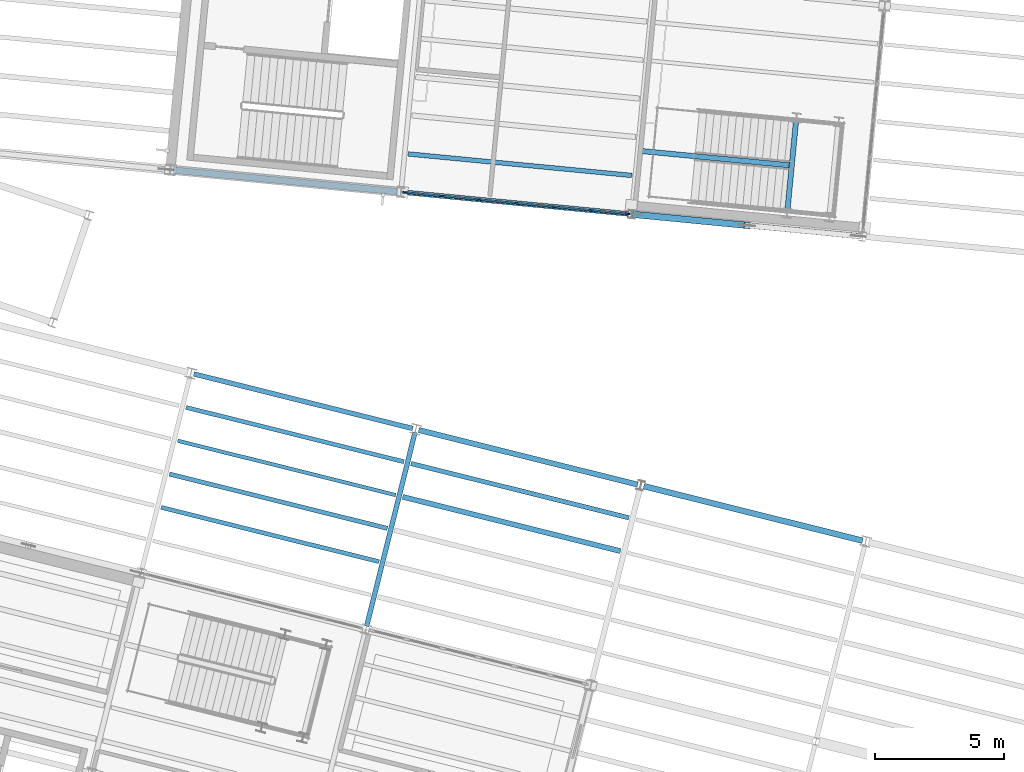
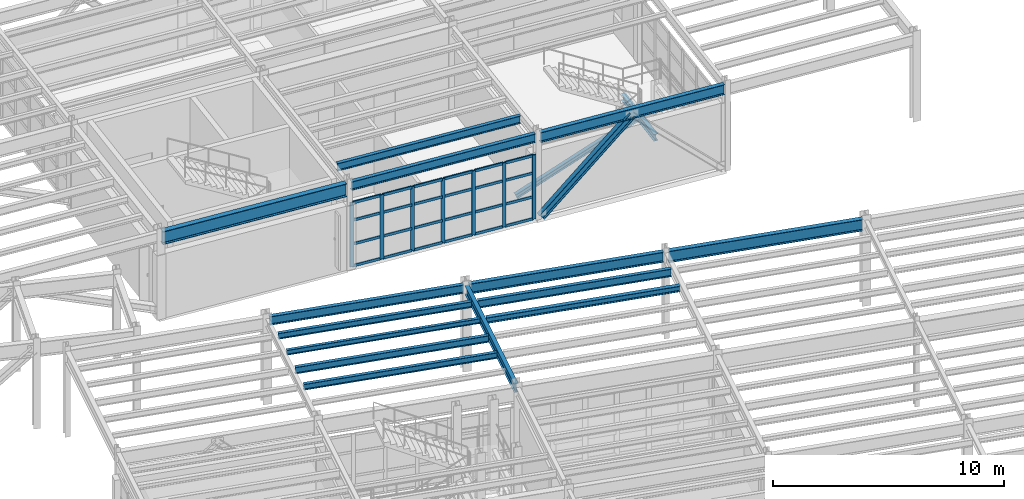
# One storey, part 36 of 109: 33 members, 15 beams, 1 element without a shape of its own.
"""IFC4 building model written with IfcOpenShell, lengths in metres."""

from ifc_helpers import new_model, si_unit, direction, frame, origin, origin_2d, place, context, subcontext, project, spatial, rectangle, i_section, extrude, material, layer, layer_set, material_profile, profile_set, type_object, element, aggregate, save


model = new_model("IFC4")

# Units and contexts
model_context = context("Model", 3, precision=1e-05, world=origin(), true_north=direction((0.0, 1.0)))
body_context = subcontext(model_context, "Body", "Model", "MODEL_VIEW")
ifc_project = project(units=[si_unit("LENGTHUNIT", "METRE"), si_unit("AREAUNIT", "SQUARE_METRE"), si_unit("VOLUMEUNIT", "CUBIC_METRE"), si_unit("PLANEANGLEUNIT", "RADIAN"), si_unit("MASSUNIT", "GRAM", prefix="KILO")], contexts=[model_context])

# Site, building, storey
site_placement = place(None, origin())
site = spatial("IfcSite", under=ifc_project, at=site_placement, CompositionType="ELEMENT")
building_placement = place(site_placement, origin())
building = spatial("IfcBuilding", under=site, at=building_placement, Name="Vireo Bluff Cable Station", CompositionType="ELEMENT")
storey_placement = place(building_placement, frame((0.0, 0.0, 4.800048828125)))
storey = spatial("IfcBuildingStorey", under=building, at=storey_placement, Name="L01", CompositionType="ELEMENT", Elevation=4.800048828125)

# Beams
ifc_material_1 = material(Name="Steel ASTM A992 Gr. 50", Category="steel")
ifc_material_profile_1 = material_profile(ifc_material_1, i_section(OverallWidth=0.2041015625, OverallDepth=0.35009765625, WebThickness=0.008544921875, FlangeThickness=0.01513671875, FilletRadius=0.010009765625, at=origin_2d()), Name="W14X48")
ifc_profile_set_1 = profile_set([ifc_material_profile_1], Name="Steel ASTM A992 Gr. 50")
beam_type_1 = type_object("IfcBeamType", Name="BM-W14X48", PredefinedType="BEAM", material=ifc_profile_set_1)
beam_1_placement = place(storey_placement, frame((91.700439453125, 65.4599609375, 2.02490234375), z_axis=(0.095877381209, 0.995393152364, 0.0), x_axis=(-0.995393152364, 0.095877381209, 0.0)))
element("IfcBeam", 1, at=beam_1_placement, inside=storey, type_object=beam_type_1, Name="ST-11 L01 landing header beam N", PredefinedType="BEAM", context=body_context, shape_type="SweptSolid", body=[
    extrude(i_section(OverallWidth=0.2041015625, OverallDepth=0.35009765625, WebThickness=0.008544921875, FlangeThickness=0.01513671875, FilletRadius=0.010009765625, at=origin_2d()), origin(), (0.0, 0.0, 1.0), 3.440185546875),
])
ifc_material_profile_2 = material_profile(ifc_material_1, i_section(OverallWidth=0.193115234375, OverallDepth=0.467041015625, WebThickness=0.011474609375, FlangeThickness=0.01904296875, FilletRadius=0.011962890625, at=origin_2d()), Name="W18X65")
ifc_profile_set_2 = profile_set([ifc_material_profile_2], Name="Steel ASTM A992 Gr. 50")
beam_type_2 = type_object("IfcBeamType", Name="BM-W18X65", PredefinedType="BEAM", material=ifc_profile_set_2)
beam_2_placement = place(storey_placement, frame((75.364990234375, 49.28662109375, 4.306396484375), z_axis=(0.241935966891, 0.970292217801, 0.0), x_axis=(-0.970292217801, 0.241935966891, 0.0)))
element("IfcBeam", 2, at=beam_2_placement, inside=storey, type_object=beam_type_2, Name="V1 L01 beam 68", PredefinedType="BEAM", context=body_context, shape_type="SweptSolid", body=[
    extrude(i_section(OverallWidth=0.193115234375, OverallDepth=0.467041015625, WebThickness=0.011474609375, FlangeThickness=0.01904296875, FilletRadius=0.011962890625, at=origin_2d()), origin(), (0.0, 0.0, 1.0), 7.760009765625),
])

# Member
ifc_material_profile_3 = material_profile(ifc_material_1, i_section(OverallWidth=0.25390625, OverallDepth=0.35302734375, WebThickness=0.009521484375, FlangeThickness=0.016357421875, FilletRadius=0.011962890625, at=origin_2d()), Name="W14X61")
ifc_profile_set_3 = profile_set([ifc_material_profile_3], Name="Steel ASTM A992 Gr. 50")
member_type_1 = type_object("IfcMemberType", Name="BRC-06", PredefinedType="BRACE", material=ifc_profile_set_3)
member_1_placement = place(storey_placement, frame((85.814453125, 65.263427734375, 0.0400390625), z_axis=(0.720263828031, -0.069360246565, 0.690224002934), x_axis=(0.095854965264, 0.995395311238, 0.0)))
element("IfcMember", 3, at=member_1_placement, inside=storey, type_object=member_type_1, Name="V3 L01 concentric brace 53L", PredefinedType="BRACE", context=body_context, shape_type="SweptSolid", body=[
    extrude(i_section(OverallWidth=0.25390625, OverallDepth=0.35302734375, WebThickness=0.009521484375, FlangeThickness=0.016357421875, FilletRadius=0.011962890625, at=origin_2d()), origin(), (0.0, 0.0, 1.0), 5.997802734375),
])

# Curtain wall, members
ifc_material_2 = material(Name="Anodized Aluminium 6063-T6", Category="aluminium")
ifc_layer = layer(ifc_material_2, 0.179931640625, Name="Anodized Aluminium 6063-T6")
ifc_layer_set = layer_set([ifc_layer], Name="Anodized Aluminium 6063-T6")
curtain_wall_type = type_object("IfcCurtainWallType", Name="CW-UNIT-1400", PredefinedType="USERDEFINED", material=ifc_layer_set)
curtain_wall_placement = place(storey_placement, origin())
curtain_wall = element("IfcCurtainWall", 4, at=curtain_wall_placement, inside=storey, type_object=curtain_wall_type, Name="V3 L01 south curtain wall CW-072", ObjectType="UNITISED CURTAIN WALL", PredefinedType="USERDEFINED")
ifc_material_profile_4 = material_profile(ifc_material_2, rectangle(XDim=0.06494140625, YDim=0.179931640625, at=origin_2d()), Name="ALU-M-65X180")
ifc_profile_set_4 = profile_set([ifc_material_profile_4], Name="Anodized Aluminium 6063-T6")
member_type_2 = type_object("IfcMemberType", Name="CWM-01", PredefinedType="MULLION", material=ifc_profile_set_4)
member_2_placement = place(storey_placement, frame((85.494384765625, 65.294189453125, 0.0), z_axis=(0.0, 0.0, 1.0), x_axis=(-0.095845666993, -0.995396206602, 0.0)))
member_2 = element("IfcMember", 5, at=member_2_placement, type_object=member_type_2, Name="CW-072 mullion 1", PredefinedType="MULLION", context=body_context, shape_type="SweptSolid", body=[
    extrude(rectangle(XDim=0.06494140625, YDim=0.179931640625, at=origin_2d()), origin(), (0.0, 0.0, 1.0), 3.39990234375),
])
member_3_placement = place(storey_placement, frame((84.07666015625, 65.4306640625, 0.0), z_axis=(0.0, 0.0, 1.0), x_axis=(-0.095845666993, -0.995396206602, 0.0)))
member_3 = element("IfcMember", 6, at=member_3_placement, type_object=member_type_2, Name="CW-072 mullion 2", PredefinedType="MULLION", context=body_context, shape_type="SweptSolid", body=[
    extrude(rectangle(XDim=0.06494140625, YDim=0.179931640625, at=origin_2d()), origin(), (0.0, 0.0, 1.0), 3.39990234375),
])
member_4_placement = place(storey_placement, frame((82.626708984375, 65.5703125, 0.0), z_axis=(0.0, 0.0, 1.0), x_axis=(-0.095845666993, -0.995396206602, 0.0)))
member_4 = element("IfcMember", 7, at=member_4_placement, type_object=member_type_2, Name="CW-072 mullion 3", PredefinedType="MULLION", context=body_context, shape_type="SweptSolid", body=[
    extrude(rectangle(XDim=0.06494140625, YDim=0.179931640625, at=origin_2d()), origin(), (0.0, 0.0, 1.0), 3.39990234375),
])
member_5_placement = place(storey_placement, frame((81.1767578125, 65.7099609375, 0.0), z_axis=(0.0, 0.0, 1.0), x_axis=(-0.095845666993, -0.995396206602, 0.0)))
member_5 = element("IfcMember", 8, at=member_5_placement, type_object=member_type_2, Name="CW-072 mullion 4", PredefinedType="MULLION", context=body_context, shape_type="SweptSolid", body=[
    extrude(rectangle(XDim=0.06494140625, YDim=0.179931640625, at=origin_2d()), origin(), (0.0, 0.0, 1.0), 3.39990234375),
])
member_6_placement = place(storey_placement, frame((79.7265625, 65.849609375, 0.0), z_axis=(0.0, 0.0, 1.0), x_axis=(-0.095845666993, -0.995396206602, 0.0)))
member_6 = element("IfcMember", 9, at=member_6_placement, type_object=member_type_2, Name="CW-072 mullion 5", PredefinedType="MULLION", context=body_context, shape_type="SweptSolid", body=[
    extrude(rectangle(XDim=0.06494140625, YDim=0.179931640625, at=origin_2d()), origin(), (0.0, 0.0, 1.0), 3.39990234375),
])
member_7_placement = place(storey_placement, frame((78.276611328125, 65.989013671875, 0.0), z_axis=(0.0, 0.0, 1.0), x_axis=(-0.095845666993, -0.995396206602, 0.0)))
member_7 = element("IfcMember", 10, at=member_7_placement, type_object=member_type_2, Name="CW-072 mullion 6", PredefinedType="MULLION", context=body_context, shape_type="SweptSolid", body=[
    extrude(rectangle(XDim=0.06494140625, YDim=0.179931640625, at=origin_2d()), origin(), (0.0, 0.0, 1.0), 3.39990234375),
])
member_8_placement = place(storey_placement, frame((76.85888671875, 66.125732421875, 0.0), z_axis=(0.0, 0.0, 1.0), x_axis=(-0.095845666993, -0.995396206602, 0.0)))
member_8 = element("IfcMember", 11, at=member_8_placement, type_object=member_type_2, Name="CW-072 mullion 7", PredefinedType="MULLION", context=body_context, shape_type="SweptSolid", body=[
    extrude(rectangle(XDim=0.06494140625, YDim=0.179931640625, at=origin_2d()), origin(), (0.0, 0.0, 1.0), 3.39990234375),
])
ifc_material_profile_5 = material_profile(ifc_material_2, rectangle(XDim=0.06494140625, YDim=0.139892578125, at=origin_2d()), Name="ALU-T-65X140")
ifc_profile_set_5 = profile_set([ifc_material_profile_5], Name="Anodized Aluminium 6063-T6")
member_type_3 = type_object("IfcMemberType", Name="CWT-01", PredefinedType="USERDEFINED", material=ifc_profile_set_5)
member_9_placement = place(storey_placement, frame((85.462158203125, 65.29736328125, 0.032470703125), z_axis=(-0.995407054412, 0.095732941177, 0.0), x_axis=(-0.095732941177, -0.995407054412, 0.0)))
member_9 = element("IfcMember", 12, at=member_9_placement, type_object=member_type_3, Name="CW-072 transom 1.1", ObjectType="TRANSOM", PredefinedType="USERDEFINED", context=body_context, shape_type="SweptSolid", body=[
    extrude(rectangle(XDim=0.06494140625, YDim=0.139892578125, at=origin_2d()), origin(), (0.0, 0.0, 1.0), 1.359375),
])
member_10_placement = place(storey_placement, frame((85.462158203125, 65.29736328125, 1.18994140625), z_axis=(-0.995407054412, 0.095732941177, 0.0), x_axis=(-0.095732941177, -0.995407054412, 0.0)))
member_10 = element("IfcMember", 13, at=member_10_placement, type_object=member_type_3, Name="CW-072 transom 1.2", ObjectType="TRANSOM", PredefinedType="USERDEFINED", context=body_context, shape_type="SweptSolid", body=[
    extrude(rectangle(XDim=0.06494140625, YDim=0.139892578125, at=origin_2d()), origin(), (0.0, 0.0, 1.0), 1.359375),
])
member_11_placement = place(storey_placement, frame((85.462158203125, 65.29736328125, 2.447998046875), z_axis=(-0.995407054412, 0.095732941177, 0.0), x_axis=(-0.095732941177, -0.995407054412, 0.0)))
member_11 = element("IfcMember", 14, at=member_11_placement, type_object=member_type_3, Name="CW-072 transom 1.3", ObjectType="TRANSOM", PredefinedType="USERDEFINED", context=body_context, shape_type="SweptSolid", body=[
    extrude(rectangle(XDim=0.06494140625, YDim=0.139892578125, at=origin_2d()), origin(), (0.0, 0.0, 1.0), 1.359375),
])
member_12_placement = place(storey_placement, frame((85.462158203125, 65.29736328125, 3.367431640625), z_axis=(-0.995407054412, 0.095732941177, 0.0), x_axis=(-0.095732941177, -0.995407054412, 0.0)))
member_12 = element("IfcMember", 15, at=member_12_placement, type_object=member_type_3, Name="CW-072 transom 1.4", ObjectType="TRANSOM", PredefinedType="USERDEFINED", context=body_context, shape_type="SweptSolid", body=[
    extrude(rectangle(XDim=0.06494140625, YDim=0.139892578125, at=origin_2d()), origin(), (0.0, 0.0, 1.0), 1.359375),
])
member_13_placement = place(storey_placement, frame((84.04443359375, 65.433837890625, 0.032470703125), z_axis=(-0.995401955099, 0.095785947741, 0.0), x_axis=(-0.095785947741, -0.995401955099, 0.0)))
member_13 = element("IfcMember", 16, at=member_13_placement, type_object=member_type_3, Name="CW-072 transom 2.1", ObjectType="TRANSOM", PredefinedType="USERDEFINED", context=body_context, shape_type="SweptSolid", body=[
    extrude(rectangle(XDim=0.06494140625, YDim=0.139892578125, at=origin_2d()), origin(), (0.0, 0.0, 1.0), 1.3916015625),
])
member_14_placement = place(storey_placement, frame((84.04443359375, 65.433837890625, 1.18994140625), z_axis=(-0.995401955099, 0.095785947741, 0.0), x_axis=(-0.095785947741, -0.995401955099, 0.0)))
member_14 = element("IfcMember", 17, at=member_14_placement, type_object=member_type_3, Name="CW-072 transom 2.2", ObjectType="TRANSOM", PredefinedType="USERDEFINED", context=body_context, shape_type="SweptSolid", body=[
    extrude(rectangle(XDim=0.06494140625, YDim=0.139892578125, at=origin_2d()), origin(), (0.0, 0.0, 1.0), 1.3916015625),
])
member_15_placement = place(storey_placement, frame((84.04443359375, 65.433837890625, 2.447998046875), z_axis=(-0.995401955099, 0.095785947741, 0.0), x_axis=(-0.095785947741, -0.995401955099, 0.0)))
member_15 = element("IfcMember", 18, at=member_15_placement, type_object=member_type_3, Name="CW-072 transom 2.3", ObjectType="TRANSOM", PredefinedType="USERDEFINED", context=body_context, shape_type="SweptSolid", body=[
    extrude(rectangle(XDim=0.06494140625, YDim=0.139892578125, at=origin_2d()), origin(), (0.0, 0.0, 1.0), 1.3916015625),
])
member_16_placement = place(storey_placement, frame((84.04443359375, 65.433837890625, 3.367431640625), z_axis=(-0.995401955099, 0.095785947741, 0.0), x_axis=(-0.095785947741, -0.995401955099, 0.0)))
member_16 = element("IfcMember", 19, at=member_16_placement, type_object=member_type_3, Name="CW-072 transom 2.4", ObjectType="TRANSOM", PredefinedType="USERDEFINED", context=body_context, shape_type="SweptSolid", body=[
    extrude(rectangle(XDim=0.06494140625, YDim=0.139892578125, at=origin_2d()), origin(), (0.0, 0.0, 1.0), 1.3916015625),
])
member_17_placement = place(storey_placement, frame((82.594482421875, 65.573486328125, 0.032470703125), z_axis=(-0.995403564258, 0.09576922398, 0.0), x_axis=(-0.09576922398, -0.995403564258, 0.0)))
member_17 = element("IfcMember", 20, at=member_17_placement, type_object=member_type_3, Name="CW-072 transom 3.1", ObjectType="TRANSOM", PredefinedType="USERDEFINED", context=body_context, shape_type="SweptSolid", body=[
    extrude(rectangle(XDim=0.06494140625, YDim=0.139892578125, at=origin_2d()), origin(), (0.0, 0.0, 1.0), 1.391845703125),
])
member_18_placement = place(storey_placement, frame((82.594482421875, 65.573486328125, 1.18994140625), z_axis=(-0.995403564258, 0.09576922398, 0.0), x_axis=(-0.09576922398, -0.995403564258, 0.0)))
member_18 = element("IfcMember", 21, at=member_18_placement, type_object=member_type_3, Name="CW-072 transom 3.2", ObjectType="TRANSOM", PredefinedType="USERDEFINED", context=body_context, shape_type="SweptSolid", body=[
    extrude(rectangle(XDim=0.06494140625, YDim=0.139892578125, at=origin_2d()), origin(), (0.0, 0.0, 1.0), 1.391845703125),
])
member_19_placement = place(storey_placement, frame((82.594482421875, 65.573486328125, 2.447998046875), z_axis=(-0.995403564258, 0.09576922398, 0.0), x_axis=(-0.09576922398, -0.995403564258, 0.0)))
member_19 = element("IfcMember", 22, at=member_19_placement, type_object=member_type_3, Name="CW-072 transom 3.3", ObjectType="TRANSOM", PredefinedType="USERDEFINED", context=body_context, shape_type="SweptSolid", body=[
    extrude(rectangle(XDim=0.06494140625, YDim=0.139892578125, at=origin_2d()), origin(), (0.0, 0.0, 1.0), 1.391845703125),
])
member_20_placement = place(storey_placement, frame((82.594482421875, 65.573486328125, 3.367431640625), z_axis=(-0.995403564258, 0.09576922398, 0.0), x_axis=(-0.09576922398, -0.995403564258, 0.0)))
member_20 = element("IfcMember", 23, at=member_20_placement, type_object=member_type_3, Name="CW-072 transom 3.4", ObjectType="TRANSOM", PredefinedType="USERDEFINED", context=body_context, shape_type="SweptSolid", body=[
    extrude(rectangle(XDim=0.06494140625, YDim=0.139892578125, at=origin_2d()), origin(), (0.0, 0.0, 1.0), 1.391845703125),
])
member_21_placement = place(storey_placement, frame((81.144287109375, 65.712890625, 0.032470703125), z_axis=(-0.995385213536, 0.095959765915, 0.0), x_axis=(-0.095959765915, -0.995385213536, 0.0)))
member_21 = element("IfcMember", 24, at=member_21_placement, type_object=member_type_3, Name="CW-072 transom 4.1", ObjectType="TRANSOM", PredefinedType="USERDEFINED", context=body_context, shape_type="SweptSolid", body=[
    extrude(rectangle(XDim=0.06494140625, YDim=0.139892578125, at=origin_2d()), origin(), (0.0, 0.0, 1.0), 1.3916015625),
])
member_22_placement = place(storey_placement, frame((81.144287109375, 65.712890625, 1.18994140625), z_axis=(-0.995385213536, 0.095959765915, 0.0), x_axis=(-0.095959765915, -0.995385213536, 0.0)))
member_22 = element("IfcMember", 25, at=member_22_placement, type_object=member_type_3, Name="CW-072 transom 4.2", ObjectType="TRANSOM", PredefinedType="USERDEFINED", context=body_context, shape_type="SweptSolid", body=[
    extrude(rectangle(XDim=0.06494140625, YDim=0.139892578125, at=origin_2d()), origin(), (0.0, 0.0, 1.0), 1.3916015625),
])
member_23_placement = place(storey_placement, frame((81.144287109375, 65.712890625, 2.447998046875), z_axis=(-0.995385213536, 0.095959765915, 0.0), x_axis=(-0.095959765915, -0.995385213536, 0.0)))
member_23 = element("IfcMember", 26, at=member_23_placement, type_object=member_type_3, Name="CW-072 transom 4.3", ObjectType="TRANSOM", PredefinedType="USERDEFINED", context=body_context, shape_type="SweptSolid", body=[
    extrude(rectangle(XDim=0.06494140625, YDim=0.139892578125, at=origin_2d()), origin(), (0.0, 0.0, 1.0), 1.3916015625),
])
member_24_placement = place(storey_placement, frame((81.144287109375, 65.712890625, 3.367431640625), z_axis=(-0.995385213536, 0.095959765915, 0.0), x_axis=(-0.095959765915, -0.995385213536, 0.0)))
member_24 = element("IfcMember", 27, at=member_24_placement, type_object=member_type_3, Name="CW-072 transom 4.4", ObjectType="TRANSOM", PredefinedType="USERDEFINED", context=body_context, shape_type="SweptSolid", body=[
    extrude(rectangle(XDim=0.06494140625, YDim=0.139892578125, at=origin_2d()), origin(), (0.0, 0.0, 1.0), 1.3916015625),
])
member_25_placement = place(storey_placement, frame((79.6943359375, 65.8525390625, 0.032470703125), z_axis=(-0.995386828513, 0.095943012369, 0.0), x_axis=(-0.095943012369, -0.995386828513, 0.0)))
member_25 = element("IfcMember", 28, at=member_25_placement, type_object=member_type_3, Name="CW-072 transom 5.1", ObjectType="TRANSOM", PredefinedType="USERDEFINED", context=body_context, shape_type="SweptSolid", body=[
    extrude(rectangle(XDim=0.06494140625, YDim=0.139892578125, at=origin_2d()), origin(), (0.0, 0.0, 1.0), 1.391845703125),
])
member_26_placement = place(storey_placement, frame((79.6943359375, 65.8525390625, 1.18994140625), z_axis=(-0.995386828513, 0.095943012369, 0.0), x_axis=(-0.095943012369, -0.995386828513, 0.0)))
member_26 = element("IfcMember", 29, at=member_26_placement, type_object=member_type_3, Name="CW-072 transom 5.2", ObjectType="TRANSOM", PredefinedType="USERDEFINED", context=body_context, shape_type="SweptSolid", body=[
    extrude(rectangle(XDim=0.06494140625, YDim=0.139892578125, at=origin_2d()), origin(), (0.0, 0.0, 1.0), 1.391845703125),
])
member_27_placement = place(storey_placement, frame((79.6943359375, 65.8525390625, 2.447998046875), z_axis=(-0.995386828513, 0.095943012369, 0.0), x_axis=(-0.095943012369, -0.995386828513, 0.0)))
member_27 = element("IfcMember", 30, at=member_27_placement, type_object=member_type_3, Name="CW-072 transom 5.3", ObjectType="TRANSOM", PredefinedType="USERDEFINED", context=body_context, shape_type="SweptSolid", body=[
    extrude(rectangle(XDim=0.06494140625, YDim=0.139892578125, at=origin_2d()), origin(), (0.0, 0.0, 1.0), 1.391845703125),
])
member_28_placement = place(storey_placement, frame((79.6943359375, 65.8525390625, 3.367431640625), z_axis=(-0.995386828513, 0.095943012369, 0.0), x_axis=(-0.095943012369, -0.995386828513, 0.0)))
member_28 = element("IfcMember", 31, at=member_28_placement, type_object=member_type_3, Name="CW-072 transom 5.4", ObjectType="TRANSOM", PredefinedType="USERDEFINED", context=body_context, shape_type="SweptSolid", body=[
    extrude(rectangle(XDim=0.06494140625, YDim=0.139892578125, at=origin_2d()), origin(), (0.0, 0.0, 1.0), 1.391845703125),
])
member_29_placement = place(storey_placement, frame((78.244140625, 65.9921875, 0.032470703125), z_axis=(-0.99538827039, 0.095928052046, 0.0), x_axis=(-0.095928052046, -0.99538827039, 0.0)))
member_29 = element("IfcMember", 32, at=member_29_placement, type_object=member_type_3, Name="CW-072 transom 6.1", ObjectType="TRANSOM", PredefinedType="USERDEFINED", context=body_context, shape_type="SweptSolid", body=[
    extrude(rectangle(XDim=0.06494140625, YDim=0.139892578125, at=origin_2d()), origin(), (0.0, 0.0, 1.0), 1.359130859375),
])
member_30_placement = place(storey_placement, frame((78.244140625, 65.9921875, 1.18994140625), z_axis=(-0.99538827039, 0.095928052046, 0.0), x_axis=(-0.095928052046, -0.99538827039, 0.0)))
member_30 = element("IfcMember", 33, at=member_30_placement, type_object=member_type_3, Name="CW-072 transom 6.2", ObjectType="TRANSOM", PredefinedType="USERDEFINED", context=body_context, shape_type="SweptSolid", body=[
    extrude(rectangle(XDim=0.06494140625, YDim=0.139892578125, at=origin_2d()), origin(), (0.0, 0.0, 1.0), 1.359130859375),
])
member_31_placement = place(storey_placement, frame((78.244140625, 65.9921875, 2.447998046875), z_axis=(-0.99538827039, 0.095928052046, 0.0), x_axis=(-0.095928052046, -0.99538827039, 0.0)))
member_31 = element("IfcMember", 34, at=member_31_placement, type_object=member_type_3, Name="CW-072 transom 6.3", ObjectType="TRANSOM", PredefinedType="USERDEFINED", context=body_context, shape_type="SweptSolid", body=[
    extrude(rectangle(XDim=0.06494140625, YDim=0.139892578125, at=origin_2d()), origin(), (0.0, 0.0, 1.0), 1.359130859375),
])
member_32_placement = place(storey_placement, frame((78.244140625, 65.9921875, 3.367431640625), z_axis=(-0.99538827039, 0.095928052046, 0.0), x_axis=(-0.095928052046, -0.99538827039, 0.0)))
member_32 = element("IfcMember", 35, at=member_32_placement, type_object=member_type_3, Name="CW-072 transom 6.4", ObjectType="TRANSOM", PredefinedType="USERDEFINED", context=body_context, shape_type="SweptSolid", body=[
    extrude(rectangle(XDim=0.06494140625, YDim=0.139892578125, at=origin_2d()), origin(), (0.0, 0.0, 1.0), 1.359130859375),
])
aggregate(curtain_wall, [member_2, member_3, member_4, member_5, member_6, member_7, member_8, member_9, member_10, member_11, member_12, member_13, member_14, member_15, member_16, member_17, member_18, member_19, member_20, member_21, member_22, member_23, member_24, member_25, member_26, member_27, member_28, member_29, member_30, member_31, member_32])

# Beams
ifc_material_profile_6 = material_profile(ifc_material_1, i_section(OverallWidth=0.14599609375, OverallDepth=0.259033203125, WebThickness=0.006103515625, FlangeThickness=0.009033203125, FilletRadius=0.009033203125, at=origin_2d()), Name="W10X22")
ifc_profile_set_6 = profile_set([ifc_material_profile_6], Name="Steel ASTM A992 Gr. 50")
beam_type_3 = type_object("IfcBeamType", Name="JST-W10X22", PredefinedType="JOIST", material=ifc_profile_set_6)
beam_3_placement = place(storey_placement, frame((68.029541015625, 56.488525390625, 4.410400390625), z_axis=(0.970293828661, -0.24192950639, 0.0), x_axis=(0.24192950639, 0.970293828661, 0.0)))
element("IfcBeam", 36, at=beam_3_placement, inside=storey, type_object=beam_type_3, Name="V1 L01 composite joist 98", PredefinedType="JOIST", context=body_context, shape_type="SweptSolid", body=[
    extrude(i_section(OverallWidth=0.14599609375, OverallDepth=0.259033203125, WebThickness=0.006103515625, FlangeThickness=0.009033203125, FilletRadius=0.009033203125, at=origin_2d()), origin(), (0.0, 0.0, 1.0), 8.719970703125),
])
ifc_material_profile_7 = material_profile(ifc_material_1, i_section(OverallWidth=0.1650390625, OverallDepth=0.31005859375, WebThickness=0.005859375, FlangeThickness=0.009765625, FilletRadius=0.010009765625, at=origin_2d()), Name="W12X26")
ifc_profile_set_7 = profile_set([ifc_material_profile_7], Name="Steel ASTM A992 Gr. 50")
beam_type_4 = type_object("IfcBeamType", Name="JST-W12X26", PredefinedType="JOIST", material=ifc_profile_set_7)
beam_4_placement = place(storey_placement, frame((67.38427734375, 53.901123046875, 4.385009765625), z_axis=(0.970295467306, -0.24192293427, 0.0), x_axis=(0.24192293427, 0.970295467306, 0.0)))
element("IfcBeam", 37, at=beam_4_placement, inside=storey, type_object=beam_type_4, Name="V1 L01 composite joist 96", PredefinedType="JOIST", context=body_context, shape_type="SweptSolid", body=[
    extrude(i_section(OverallWidth=0.1650390625, OverallDepth=0.31005859375, WebThickness=0.005859375, FlangeThickness=0.009765625, FilletRadius=0.010009765625, at=origin_2d()), origin(), (0.0, 0.0, 1.0), 8.72021484375),
])
beam_5_placement = place(storey_placement, frame((68.35205078125, 57.7822265625, 4.385009765625), z_axis=(0.970293828661, -0.24192950639, 0.0), x_axis=(0.24192950639, 0.970293828661, 0.0)))
element("IfcBeam", 38, at=beam_5_placement, inside=storey, type_object=beam_type_4, Name="V1 L01 composite joist 99", PredefinedType="JOIST", context=body_context, shape_type="SweptSolid", body=[
    extrude(i_section(OverallWidth=0.1650390625, OverallDepth=0.31005859375, WebThickness=0.005859375, FlangeThickness=0.009765625, FilletRadius=0.010009765625, at=origin_2d()), origin(), (0.0, 0.0, 1.0), 8.719970703125),
])
ifc_material_profile_8 = material_profile(ifc_material_1, i_section(OverallWidth=0.202880859375, OverallDepth=0.302978515625, WebThickness=0.007568359375, FlangeThickness=0.01318359375, FilletRadius=0.010009765625, at=origin_2d()), Name="W12X40")
ifc_profile_set_8 = profile_set([ifc_material_profile_8], Name="Steel ASTM A992 Gr. 50")
beam_type_5 = type_object("IfcBeamType", Name="JST-W12X40", PredefinedType="JOIST", material=ifc_profile_set_8)
beam_6_placement = place(storey_placement, frame((76.76220703125, 54.311279296875, 4.388427734375), z_axis=(0.970293828661, -0.24192950639, 0.0), x_axis=(0.24192950639, 0.970293828661, 0.0)))
element("IfcBeam", 39, at=beam_6_placement, inside=storey, type_object=beam_type_5, Name="V1 L01 composite joist 113", PredefinedType="JOIST", context=body_context, shape_type="SweptSolid", body=[
    extrude(i_section(OverallWidth=0.202880859375, OverallDepth=0.302978515625, WebThickness=0.007568359375, FlangeThickness=0.01318359375, FilletRadius=0.010009765625, at=origin_2d()), origin(), (0.0, 0.0, 1.0), 8.719970703125),
])
ifc_material_profile_9 = material_profile(ifc_material_1, i_section(OverallWidth=0.1708984375, OverallDepth=0.35107421875, WebThickness=0.0068359375, FlangeThickness=0.009765625, FilletRadius=0.010009765625, at=origin_2d()), Name="W14X30")
ifc_profile_set_9 = profile_set([ifc_material_profile_9], Name="Steel ASTM A992 Gr. 50")
beam_type_6 = type_object("IfcBeamType", Name="JST-W14X30", PredefinedType="JOIST", material=ifc_profile_set_9)
beam_7_placement = place(storey_placement, frame((67.70703125, 55.19482421875, 4.364501953125), z_axis=(0.970293828661, -0.24192950639, 0.0), x_axis=(0.24192950639, 0.970293828661, 0.0)))
element("IfcBeam", 40, at=beam_7_placement, inside=storey, type_object=beam_type_6, Name="V1 L01 composite joist 97", PredefinedType="JOIST", context=body_context, shape_type="SweptSolid", body=[
    extrude(i_section(OverallWidth=0.1708984375, OverallDepth=0.35107421875, WebThickness=0.0068359375, FlangeThickness=0.009765625, FilletRadius=0.010009765625, at=origin_2d()), origin(), (0.0, 0.0, 1.0), 8.719970703125),
])
ifc_material_profile_10 = material_profile(ifc_material_1, i_section(OverallWidth=0.177978515625, OverallDepth=0.404052734375, WebThickness=0.007568359375, FlangeThickness=0.010986328125, FilletRadius=0.010009765625, at=origin_2d()), Name="W16X36")
ifc_profile_set_10 = profile_set([ifc_material_profile_10], Name="Steel ASTM A992 Gr. 50")
beam_type_7 = type_object("IfcBeamType", Name="JST-W16X36", PredefinedType="JOIST", material=ifc_profile_set_10)
for number, where, z_axis, x_axis, name in (
    (41, (77.084716796875, 55.60498046875, 4.337890625), (0.970293828661, -0.24192950639, 0.0), (0.24192950639, 0.970293828661, 0.0), "V1 L01 composite joist 114"),
    (42, (76.979736328125, 67.620849609375, 4.337890625), (0.995397172011, -0.095835640306, 0.0), (0.095835640306, 0.995397172011, 0.0), "V3 L01 composite joist 670"),
):
    element("IfcBeam", number, at=place(storey_placement, frame(where, z_axis=z_axis, x_axis=x_axis)), inside=storey, type_object=beam_type_7, Name=name, PredefinedType="JOIST", context=body_context, shape_type="SweptSolid", body=[
        extrude(i_section(OverallWidth=0.177978515625, OverallDepth=0.404052734375, WebThickness=0.007568359375, FlangeThickness=0.010986328125, FilletRadius=0.010009765625, at=origin_2d()), origin(), (0.0, 0.0, 1.0), 8.719970703125),
    ])
ifc_material_profile_11 = material_profile(ifc_material_1, i_section(OverallWidth=0.19091796875, OverallDepth=0.45703125, WebThickness=0.009033203125, FlangeThickness=0.014404296875, FilletRadius=0.011962890625, at=origin_2d()), Name="W18X50")
ifc_profile_set_11 = profile_set([ifc_material_profile_11], Name="Steel ASTM A992 Gr. 50")
beam_type_8 = type_object("IfcBeamType", Name="SPN-W18X50", PredefinedType="SPANDREL", material=ifc_profile_set_11)
for number, where, z_axis, x_axis, name in (
    (43, (68.6552734375, 59.080810546875, 4.3115234375), (0.970291502693, -0.241938834838, 0.0), (0.241938834838, 0.970291502693, 0.0), "V1 L01 spandrel 56"),
    (44, (76.816162109375, 66.1298828125, 4.3115234375), (0.995393697726, -0.095871719122, 0.0), (0.095871719122, 0.995393697726, 0.0), "V3 L01 spandrel 644"),
):
    element("IfcBeam", number, at=place(storey_placement, frame(where, z_axis=z_axis, x_axis=x_axis)), inside=storey, type_object=beam_type_8, Name=name, PredefinedType="SPANDREL", context=body_context, shape_type="SweptSolid", body=[
        extrude(i_section(OverallWidth=0.19091796875, OverallDepth=0.45703125, WebThickness=0.009033203125, FlangeThickness=0.014404296875, FilletRadius=0.011962890625, at=origin_2d()), origin(), (0.0, 0.0, 1.0), 8.760009765625),
    ])
ifc_material_profile_12 = material_profile(ifc_material_1, i_section(OverallWidth=0.2099609375, OverallDepth=0.535888671875, WebThickness=0.010986328125, FlangeThickness=0.017333984375, FilletRadius=0.012939453125, at=origin_2d()), Name="W21X68")
ifc_profile_set_12 = profile_set([ifc_material_profile_12], Name="Steel ASTM A992 Gr. 50")
beam_type_9 = type_object("IfcBeamType", Name="SPN-W21X68", PredefinedType="SPANDREL", material=ifc_profile_set_12)
for number, where, z_axis, x_axis, name in (
    (45, (77.387939453125, 56.903564453125, 4.27197265625), (0.970291502693, -0.241938834838, 0.0), (0.241938834838, 0.970291502693, 0.0), "V1 L01 spandrel 57"),
    (46, (85.774658203125, 65.26708984375, 4.27197265625), (0.995396356957, -0.095844105487, 0.0), (0.095844105487, 0.995396356957, 0.0), "V3 L01 spandrel 645"),
):
    element("IfcBeam", number, at=place(storey_placement, frame(where, z_axis=z_axis, x_axis=x_axis)), inside=storey, type_object=beam_type_9, Name=name, PredefinedType="SPANDREL", context=body_context, shape_type="SweptSolid", body=[
        extrude(i_section(OverallWidth=0.2099609375, OverallDepth=0.535888671875, WebThickness=0.010986328125, FlangeThickness=0.017333984375, FilletRadius=0.012939453125, at=origin_2d()), origin(), (0.0, 0.0, 1.0), 8.760009765625),
    ])
ifc_material_profile_13 = material_profile(ifc_material_1, i_section(OverallWidth=0.22802734375, OverallDepth=0.60693359375, WebThickness=0.01123046875, FlangeThickness=0.017333984375, FilletRadius=0.012939453125, at=origin_2d()), Name="W24X76")
ifc_profile_set_13 = profile_set([ifc_material_profile_13], Name="Steel ASTM A992 Gr. 50")
beam_type_10 = type_object("IfcBeamType", Name="SPN-W24X76", PredefinedType="SPANDREL", material=ifc_profile_set_13)
beam_8_placement = place(storey_placement, frame((86.12060546875, 54.72607421875, 4.236572265625), z_axis=(0.970298044881, -0.241912595995, 0.0), x_axis=(0.241912595995, 0.970298044881, 0.0)))
element("IfcBeam", 47, at=beam_8_placement, inside=storey, type_object=beam_type_10, Name="V1 L01 spandrel 58", PredefinedType="SPANDREL", context=body_context, shape_type="SweptSolid", body=[
    extrude(i_section(OverallWidth=0.22802734375, OverallDepth=0.60693359375, WebThickness=0.01123046875, FlangeThickness=0.017333984375, FilletRadius=0.012939453125, at=origin_2d()), origin(), (0.0, 0.0, 1.0), 8.760009765625),
])
ifc_material_profile_14 = material_profile(ifc_material_1, i_section(OverallWidth=0.257080078125, OverallDepth=0.693115234375, WebThickness=0.014404296875, FlangeThickness=0.023681640625, FilletRadius=0.014892578125, at=origin_2d()), Name="W27X114")
ifc_profile_set_14 = profile_set([ifc_material_profile_14], Name="Steel ASTM A992 Gr. 50")
beam_type_11 = type_object("IfcBeamType", Name="SPN-W27X114", PredefinedType="SPANDREL", material=ifc_profile_set_14)
beam_9_placement = place(storey_placement, frame((67.857421875, 66.992431640625, 4.193359375), z_axis=(0.995396356957, -0.095844105487, 0.0), x_axis=(0.095844105487, 0.995396356957, 0.0)))
element("IfcBeam", 48, at=beam_9_placement, inside=storey, type_object=beam_type_11, Name="V3 L01 spandrel 643", PredefinedType="SPANDREL", context=body_context, shape_type="SweptSolid", body=[
    extrude(i_section(OverallWidth=0.257080078125, OverallDepth=0.693115234375, WebThickness=0.014404296875, FlangeThickness=0.023681640625, FilletRadius=0.014892578125, at=origin_2d()), origin(), (0.0, 0.0, 1.0), 8.760009765625),
])

# Member
ifc_material_profile_15 = material_profile(ifc_material_1, i_section(OverallWidth=0.201904296875, OverallDepth=0.2470703125, WebThickness=0.00732421875, FlangeThickness=0.010986328125, FilletRadius=0.009033203125, at=origin_2d()), Name="W10X33")
ifc_profile_set_15 = profile_set([ifc_material_profile_15], Name="Steel ASTM A992 Gr. 50")
member_type_4 = type_object("IfcMemberType", Name="STRINGER-01", PredefinedType="STRINGER", material=ifc_profile_set_15)
member_33_placement = place(storey_placement, frame((85.992431640625, 67.737548828125, -0.43994140625), z_axis=(0.91729796101, -0.088303053058, 0.388287292539), x_axis=(0.095821351945, 0.995398547574, 0.0)))
element("IfcMember", 49, at=member_33_placement, inside=storey, type_object=member_type_4, Name="ST-11 L01 steel stair stringer", PredefinedType="STRINGER", context=body_context, shape_type="SweptSolid", body=[
    extrude(i_section(OverallWidth=0.201904296875, OverallDepth=0.2470703125, WebThickness=0.00732421875, FlangeThickness=0.010986328125, FilletRadius=0.009033203125, at=origin_2d()), origin(), (0.0, 0.0, 1.0), 6.347900390625),
])

save(model, "model.ifc")
